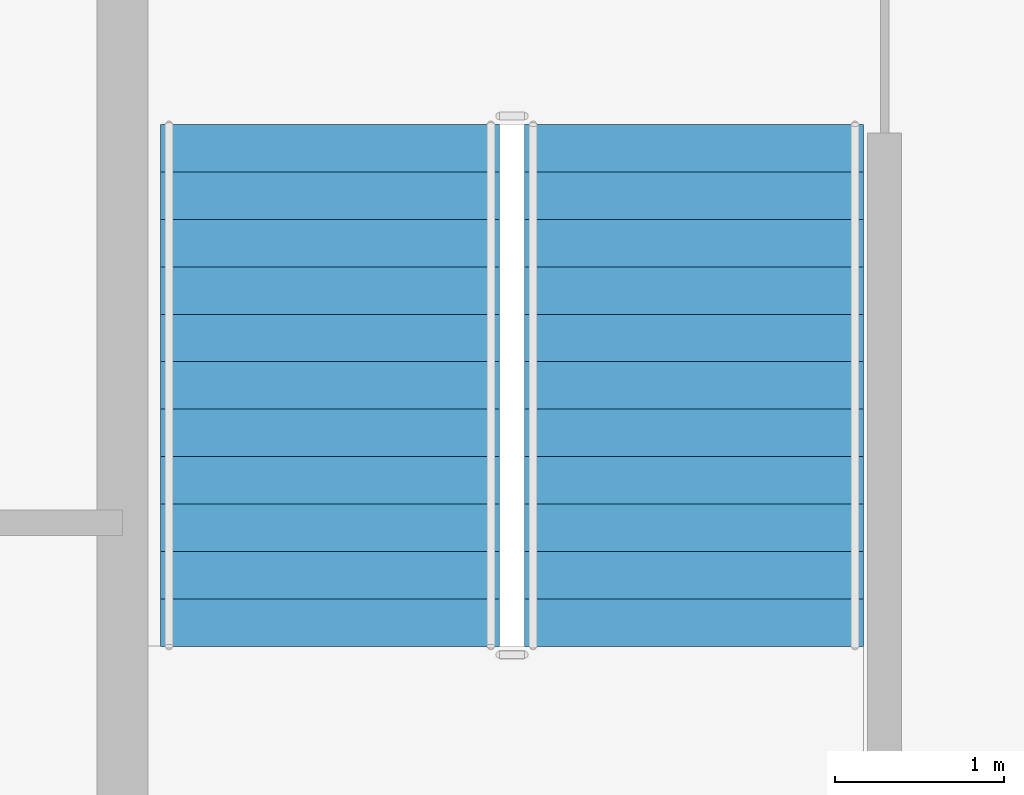
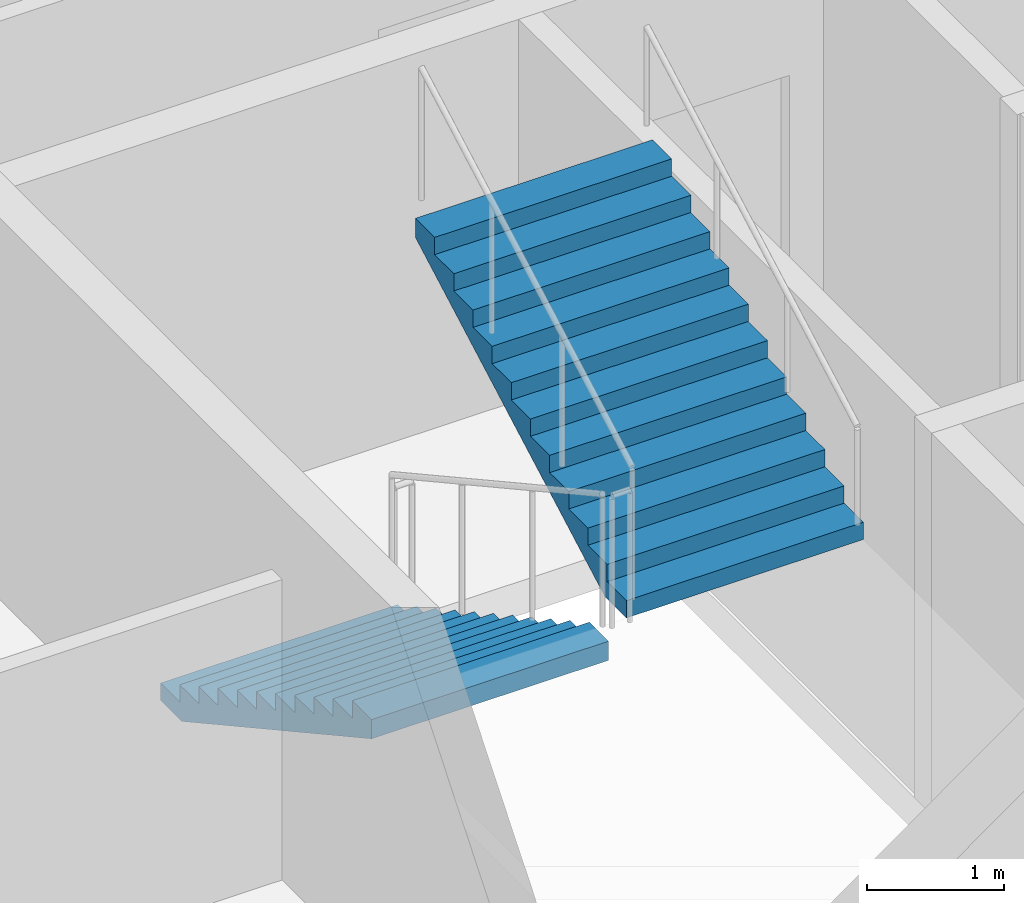
# One storey, part 9 of 12: 2 stair flights, 1 element without a shape of its own.
"""IFC4 building model written with IfcOpenShell, lengths in metres."""

from ifc_helpers import new_model, si_unit, direction, frame, origin, place, context, subcontext, project, spatial, polygons, material, type_object, element, aggregate, save


model = new_model("IFC4")

# Units and contexts
model_context = context("Model", 3, precision=1e-05, world=origin(), true_north=direction((0.0, 1.0)))
body_context = subcontext(model_context, "Body", "Model", "MODEL_VIEW")
ifc_project = project(units=[si_unit("LENGTHUNIT", "METRE"), si_unit("AREAUNIT", "SQUARE_METRE"), si_unit("VOLUMEUNIT", "CUBIC_METRE"), si_unit("PLANEANGLEUNIT", "RADIAN"), si_unit("MASSUNIT", "GRAM", prefix="KILO")], contexts=[model_context])

# Site, building, storey
site_placement = place(None, origin())
site = spatial("IfcSite", under=ifc_project, at=site_placement, CompositionType="ELEMENT")
building_placement = place(site_placement, origin())
building = spatial("IfcBuilding", under=site, at=building_placement, Name="Caravel Reach Hotel and Residences", CompositionType="ELEMENT")
storey_placement = place(building_placement, frame((0.0, 0.0, 203.5)))
storey = spatial("IfcBuildingStorey", under=building, at=storey_placement, Name="L51", CompositionType="ELEMENT", Elevation=203.5)

# Stair, stair flights
ifc_material_1 = material(Name="Concrete C40", Category="concrete")
stair_type = type_object("IfcStairType", Name="Core stair", PredefinedType="HALF_TURN_STAIR", material=ifc_material_1)
stair_placement = place(storey_placement, origin())
stair = element("IfcStair", 1, at=stair_placement, inside=storey, type_object=stair_type, Name="L51 Exit stair A", PredefinedType="HALF_TURN_STAIR")
ifc_material_2 = material(Name="Concrete C40", Category="concrete")
stair_flight_type = type_object("IfcStairFlightType", Name="Core stair flight", PredefinedType="STRAIGHT", material=ifc_material_2)
stair_flight_1_placement = place(storey_placement, frame((19.22509765625, 29.35009765625, 0.0), z_axis=(0.0, 0.0, 1.0), x_axis=(0.0, -1.0, 0.0)))
stair_flight_1 = element("IfcStairFlight", 2, at=stair_flight_1_placement, type_object=stair_flight_type, Name="ST-A flight 1", NumberOfRisers=12, NumberOfTreads=11, PredefinedType="STRAIGHT", RiserHeight=0.154166667, TreadLength=0.28, context=body_context, shape_type="Tessellation", body=[
    polygons([(0.3107950034306102, 1.0, 0.0), (0.3107950034306102, 0.6666666666666667, 0.0), (0.3107950034306102, 0.33333333333333337, 0.0), (0.3107950034306102, 0.0, 0.0), (0.3107950034306102, -0.33333333333333326, 0.0), (0.3107950034306102, -0.6666666666666667, 0.0), (0.3107950034306102, -1.0, 0.0), (3.081, 1.0, 1.524711087717319), (3.081, 0.6666666666666667, 1.524711087717319), (3.081, 0.33333333333333337, 1.524711087717319), (3.081, 0.0, 1.524711087717319), (3.081, -0.33333333333333326, 1.524711087717319), (3.081, -0.6666666666666667, 1.524711087717319), (3.081, -1.0, 1.524711087717319), (3.081, 1.0, 1.695833337), (3.081, 0.6666666666666667, 1.695833337), (3.081, 0.33333333333333337, 1.695833337), (3.081, 0.0, 1.695833337), (3.081, -0.33333333333333326, 1.695833337), (3.081, -0.6666666666666667, 1.695833337), (3.081, -1.0, 1.695833337), (2.8000000000000003, 1.0, 1.695833337), (2.8000000000000003, 0.6666666666666667, 1.695833337), (2.8000000000000003, 0.33333333333333337, 1.695833337), (2.8000000000000003, 0.0, 1.695833337), (2.8000000000000003, -0.33333333333333326, 1.695833337), (2.8000000000000003, -0.6666666666666667, 1.695833337), (2.8000000000000003, -1.0, 1.695833337), (2.8000000000000003, 1.0, 1.5416666700000001), (2.8000000000000003, 0.6666666666666667, 1.5416666700000001), (2.8000000000000003, 0.33333333333333337, 1.5416666700000001), (2.8000000000000003, 0.0, 1.5416666700000001), (2.8000000000000003, -0.33333333333333326, 1.5416666700000001), (2.8000000000000003, -0.6666666666666667, 1.5416666700000001), (2.8000000000000003, -1.0, 1.5416666700000001), (2.5200000000000005, 1.0, 1.5416666700000001), (2.5200000000000005, 0.6666666666666667, 1.5416666700000001), (2.5200000000000005, 0.33333333333333337, 1.5416666700000001), (2.5200000000000005, 0.0, 1.5416666700000001), (2.5200000000000005, -0.33333333333333326, 1.5416666700000001), (2.5200000000000005, -0.6666666666666667, 1.5416666700000001), (2.5200000000000005, -1.0, 1.5416666700000001), (2.5200000000000005, 1.0, 1.387500003), (2.5200000000000005, 0.6666666666666667, 1.387500003), (2.5200000000000005, 0.33333333333333337, 1.387500003), (2.5200000000000005, 0.0, 1.387500003), (2.5200000000000005, -0.33333333333333326, 1.387500003), (2.5200000000000005, -0.6666666666666667, 1.387500003), (2.5200000000000005, -1.0, 1.387500003), (2.24, 1.0, 1.387500003), (2.24, 0.6666666666666667, 1.387500003), (2.24, 0.33333333333333337, 1.387500003), (2.24, 0.0, 1.387500003), (2.24, -0.33333333333333326, 1.387500003), (2.24, -0.6666666666666667, 1.387500003), (2.24, -1.0, 1.387500003), (2.24, 1.0, 1.233333336), (2.24, 0.6666666666666667, 1.233333336), (2.24, 0.33333333333333337, 1.233333336), (2.24, 0.0, 1.233333336), (2.24, -0.33333333333333326, 1.233333336), (2.24, -0.6666666666666667, 1.233333336), (2.24, -1.0, 1.233333336), (1.9600000000000002, 1.0, 1.233333336), (1.9600000000000002, 0.6666666666666667, 1.233333336), (1.9600000000000002, 0.33333333333333337, 1.233333336), (1.9600000000000002, 0.0, 1.233333336), (1.9600000000000002, -0.33333333333333326, 1.233333336), (1.9600000000000002, -0.6666666666666667, 1.233333336), (1.9600000000000002, -1.0, 1.233333336), (1.9600000000000002, 1.0, 1.0791666690000001), (1.9600000000000002, 0.6666666666666667, 1.0791666690000001), (1.9600000000000002, 0.33333333333333337, 1.0791666690000001), (1.9600000000000002, 0.0, 1.0791666690000001), (1.9600000000000002, -0.33333333333333326, 1.0791666690000001), (1.9600000000000002, -0.6666666666666667, 1.0791666690000001), (1.9600000000000002, -1.0, 1.0791666690000001), (1.6800000000000002, 1.0, 1.0791666690000001), (1.6800000000000002, 0.6666666666666667, 1.0791666690000001), (1.6800000000000002, 0.33333333333333337, 1.0791666690000001), (1.6800000000000002, 0.0, 1.0791666690000001), (1.6800000000000002, -0.33333333333333326, 1.0791666690000001), (1.6800000000000002, -0.6666666666666667, 1.0791666690000001), (1.6800000000000002, -1.0, 1.0791666690000001), (1.6800000000000002, 1.0, 0.925000002), (1.6800000000000002, 0.6666666666666667, 0.925000002), (1.6800000000000002, 0.33333333333333337, 0.925000002), (1.6800000000000002, 0.0, 0.925000002), (1.6800000000000002, -0.33333333333333326, 0.925000002), (1.6800000000000002, -0.6666666666666667, 0.925000002), (1.6800000000000002, -1.0, 0.925000002), (1.4000000000000001, 1.0, 0.925000002), (1.4000000000000001, 0.6666666666666667, 0.925000002), (1.4000000000000001, 0.33333333333333337, 0.925000002), (1.4000000000000001, 0.0, 0.925000002), (1.4000000000000001, -0.33333333333333326, 0.925000002), (1.4000000000000001, -0.6666666666666667, 0.925000002), (1.4000000000000001, -1.0, 0.925000002), (1.4000000000000001, 1.0, 0.7708333350000001), (1.4000000000000001, 0.6666666666666667, 0.7708333350000001), (1.4000000000000001, 0.33333333333333337, 0.7708333350000001), (1.4000000000000001, 0.0, 0.7708333350000001), (1.4000000000000001, -0.33333333333333326, 0.7708333350000001), (1.4000000000000001, -0.6666666666666667, 0.7708333350000001), (1.4000000000000001, -1.0, 0.7708333350000001), (1.12, 1.0, 0.7708333350000001), (1.12, 0.6666666666666667, 0.7708333350000001), (1.12, 0.33333333333333337, 0.7708333350000001), (1.12, 0.0, 0.7708333350000001), (1.12, -0.33333333333333326, 0.7708333350000001), (1.12, -0.6666666666666667, 0.7708333350000001), (1.12, -1.0, 0.7708333350000001), (1.12, 1.0, 0.616666668), (1.12, 0.6666666666666667, 0.616666668), (1.12, 0.33333333333333337, 0.616666668), (1.12, 0.0, 0.616666668), (1.12, -0.33333333333333326, 0.616666668), (1.12, -0.6666666666666667, 0.616666668), (1.12, -1.0, 0.616666668), (0.8400000000000001, 1.0, 0.616666668), (0.8400000000000001, 0.6666666666666667, 0.616666668), (0.8400000000000001, 0.33333333333333337, 0.616666668), (0.8400000000000001, 0.0, 0.616666668), (0.8400000000000001, -0.33333333333333326, 0.616666668), (0.8400000000000001, -0.6666666666666667, 0.616666668), (0.8400000000000001, -1.0, 0.616666668), (0.8400000000000001, 1.0, 0.462500001), (0.8400000000000001, 0.6666666666666667, 0.462500001), (0.8400000000000001, 0.33333333333333337, 0.462500001), (0.8400000000000001, 0.0, 0.462500001), (0.8400000000000001, -0.33333333333333326, 0.462500001), (0.8400000000000001, -0.6666666666666667, 0.462500001), (0.8400000000000001, -1.0, 0.462500001), (0.56, 1.0, 0.462500001), (0.56, 0.6666666666666667, 0.462500001), (0.56, 0.33333333333333337, 0.462500001), (0.56, 0.0, 0.462500001), (0.56, -0.33333333333333326, 0.462500001), (0.56, -0.6666666666666667, 0.462500001), (0.56, -1.0, 0.462500001), (0.56, 1.0, 0.308333334), (0.56, 0.6666666666666667, 0.308333334), (0.56, 0.33333333333333337, 0.308333334), (0.56, 0.0, 0.308333334), (0.56, -0.33333333333333326, 0.308333334), (0.56, -0.6666666666666667, 0.308333334), (0.56, -1.0, 0.308333334), (0.28, 1.0, 0.308333334), (0.28, 0.6666666666666667, 0.308333334), (0.28, 0.33333333333333337, 0.308333334), (0.28, 0.0, 0.308333334), (0.28, -0.33333333333333326, 0.308333334), (0.28, -0.6666666666666667, 0.308333334), (0.28, -1.0, 0.308333334), (0.28, 1.0, 0.154166667), (0.28, 0.6666666666666667, 0.154166667), (0.28, 0.33333333333333337, 0.154166667), (0.28, 0.0, 0.154166667), (0.28, -0.33333333333333326, 0.154166667), (0.28, -0.6666666666666667, 0.154166667), (0.28, -1.0, 0.154166667), (-0.001, 1.0, 0.154166667), (-0.001, 0.6666666666666667, 0.154166667), (-0.001, 0.33333333333333337, 0.154166667), (-0.001, 0.0, 0.154166667), (-0.001, -0.33333333333333326, 0.154166667), (-0.001, -0.6666666666666667, 0.154166667), (-0.001, -1.0, 0.154166667), (-0.001, 1.0, 0.0), (-0.001, 0.6666666666666667, 0.0), (-0.001, 0.33333333333333337, 0.0), (-0.001, 0.0, 0.0), (-0.001, -0.33333333333333326, 0.0), (-0.001, -0.6666666666666667, 0.0), (-0.001, -1.0, 0.0)], [[[169, 162, 155, 148, 141, 134, 127, 120, 113, 106, 99, 92, 85, 78, 71, 64, 57, 50, 43, 36, 29, 22, 15, 8, 1]], [[7, 14, 21, 28, 35, 42, 49, 56, 63, 70, 77, 84, 91, 98, 105, 112, 119, 126, 133, 140, 147, 154, 161, 168, 175]], [[1, 8, 9, 2]], [[2, 9, 10, 3]], [[3, 10, 11, 4]], [[4, 11, 12, 5]], [[5, 12, 13, 6]], [[6, 13, 14, 7]], [[8, 15, 16, 9]], [[9, 16, 17, 10]], [[10, 17, 18, 11]], [[11, 18, 19, 12]], [[12, 19, 20, 13]], [[13, 20, 21, 14]], [[15, 22, 23, 16]], [[16, 23, 24, 17]], [[17, 24, 25, 18]], [[18, 25, 26, 19]], [[19, 26, 27, 20]], [[20, 27, 28, 21]], [[22, 29, 30, 23]], [[23, 30, 31, 24]], [[24, 31, 32, 25]], [[25, 32, 33, 26]], [[26, 33, 34, 27]], [[27, 34, 35, 28]], [[29, 36, 37, 30]], [[30, 37, 38, 31]], [[31, 38, 39, 32]], [[32, 39, 40, 33]], [[33, 40, 41, 34]], [[34, 41, 42, 35]], [[36, 43, 44, 37]], [[37, 44, 45, 38]], [[38, 45, 46, 39]], [[39, 46, 47, 40]], [[40, 47, 48, 41]], [[41, 48, 49, 42]], [[43, 50, 51, 44]], [[44, 51, 52, 45]], [[45, 52, 53, 46]], [[46, 53, 54, 47]], [[47, 54, 55, 48]], [[48, 55, 56, 49]], [[50, 57, 58, 51]], [[51, 58, 59, 52]], [[52, 59, 60, 53]], [[53, 60, 61, 54]], [[54, 61, 62, 55]], [[55, 62, 63, 56]], [[57, 64, 65, 58]], [[58, 65, 66, 59]], [[59, 66, 67, 60]], [[60, 67, 68, 61]], [[61, 68, 69, 62]], [[62, 69, 70, 63]], [[64, 71, 72, 65]], [[65, 72, 73, 66]], [[66, 73, 74, 67]], [[67, 74, 75, 68]], [[68, 75, 76, 69]], [[69, 76, 77, 70]], [[71, 78, 79, 72]], [[72, 79, 80, 73]], [[73, 80, 81, 74]], [[74, 81, 82, 75]], [[75, 82, 83, 76]], [[76, 83, 84, 77]], [[78, 85, 86, 79]], [[79, 86, 87, 80]], [[80, 87, 88, 81]], [[81, 88, 89, 82]], [[82, 89, 90, 83]], [[83, 90, 91, 84]], [[85, 92, 93, 86]], [[86, 93, 94, 87]], [[87, 94, 95, 88]], [[88, 95, 96, 89]], [[89, 96, 97, 90]], [[90, 97, 98, 91]], [[92, 99, 100, 93]], [[93, 100, 101, 94]], [[94, 101, 102, 95]], [[95, 102, 103, 96]], [[96, 103, 104, 97]], [[97, 104, 105, 98]], [[99, 106, 107, 100]], [[100, 107, 108, 101]], [[101, 108, 109, 102]], [[102, 109, 110, 103]], [[103, 110, 111, 104]], [[104, 111, 112, 105]], [[106, 113, 114, 107]], [[107, 114, 115, 108]], [[108, 115, 116, 109]], [[109, 116, 117, 110]], [[110, 117, 118, 111]], [[111, 118, 119, 112]], [[113, 120, 121, 114]], [[114, 121, 122, 115]], [[115, 122, 123, 116]], [[116, 123, 124, 117]], [[117, 124, 125, 118]], [[118, 125, 126, 119]], [[120, 127, 128, 121]], [[121, 128, 129, 122]], [[122, 129, 130, 123]], [[123, 130, 131, 124]], [[124, 131, 132, 125]], [[125, 132, 133, 126]], [[127, 134, 135, 128]], [[128, 135, 136, 129]], [[129, 136, 137, 130]], [[130, 137, 138, 131]], [[131, 138, 139, 132]], [[132, 139, 140, 133]], [[134, 141, 142, 135]], [[135, 142, 143, 136]], [[136, 143, 144, 137]], [[137, 144, 145, 138]], [[138, 145, 146, 139]], [[139, 146, 147, 140]], [[141, 148, 149, 142]], [[142, 149, 150, 143]], [[143, 150, 151, 144]], [[144, 151, 152, 145]], [[145, 152, 153, 146]], [[146, 153, 154, 147]], [[148, 155, 156, 149]], [[149, 156, 157, 150]], [[150, 157, 158, 151]], [[151, 158, 159, 152]], [[152, 159, 160, 153]], [[153, 160, 161, 154]], [[155, 162, 163, 156]], [[156, 163, 164, 157]], [[157, 164, 165, 158]], [[158, 165, 166, 159]], [[159, 166, 167, 160]], [[160, 167, 168, 161]], [[162, 169, 170, 163]], [[163, 170, 171, 164]], [[164, 171, 172, 165]], [[165, 172, 173, 166]], [[166, 173, 174, 167]], [[167, 174, 175, 168]], [[169, 1, 2, 170]], [[170, 2, 3, 171]], [[171, 3, 4, 172]], [[172, 4, 5, 173]], [[173, 5, 6, 174]], [[174, 6, 7, 175]]], closed=True),
])
stair_flight_2_placement = place(storey_placement, frame((21.375, 26.27001953125, 1.85009765625), z_axis=(0.0, 0.0, 1.0), x_axis=(0.0, 1.0, 0.0)))
stair_flight_2 = element("IfcStairFlight", 3, at=stair_flight_2_placement, type_object=stair_flight_type, Name="ST-A flight 2", NumberOfRisers=12, NumberOfTreads=11, PredefinedType="STRAIGHT", RiserHeight=0.154166667, TreadLength=0.28, context=body_context, shape_type="Tessellation", body=[
    polygons([(0.3107950034306102, 1.0, 0.0), (0.3107950034306102, 0.6666666666666667, 0.0), (0.3107950034306102, 0.33333333333333337, 0.0), (0.3107950034306102, 0.0, 0.0), (0.3107950034306102, -0.33333333333333326, 0.0), (0.3107950034306102, -0.6666666666666667, 0.0), (0.3107950034306102, -1.0, 0.0), (3.081, 1.0, 1.524711087717319), (3.081, 0.6666666666666667, 1.524711087717319), (3.081, 0.33333333333333337, 1.524711087717319), (3.081, 0.0, 1.524711087717319), (3.081, -0.33333333333333326, 1.524711087717319), (3.081, -0.6666666666666667, 1.524711087717319), (3.081, -1.0, 1.524711087717319), (3.081, 1.0, 1.695833337), (3.081, 0.6666666666666667, 1.695833337), (3.081, 0.33333333333333337, 1.695833337), (3.081, 0.0, 1.695833337), (3.081, -0.33333333333333326, 1.695833337), (3.081, -0.6666666666666667, 1.695833337), (3.081, -1.0, 1.695833337), (2.8000000000000003, 1.0, 1.695833337), (2.8000000000000003, 0.6666666666666667, 1.695833337), (2.8000000000000003, 0.33333333333333337, 1.695833337), (2.8000000000000003, 0.0, 1.695833337), (2.8000000000000003, -0.33333333333333326, 1.695833337), (2.8000000000000003, -0.6666666666666667, 1.695833337), (2.8000000000000003, -1.0, 1.695833337), (2.8000000000000003, 1.0, 1.5416666700000001), (2.8000000000000003, 0.6666666666666667, 1.5416666700000001), (2.8000000000000003, 0.33333333333333337, 1.5416666700000001), (2.8000000000000003, 0.0, 1.5416666700000001), (2.8000000000000003, -0.33333333333333326, 1.5416666700000001), (2.8000000000000003, -0.6666666666666667, 1.5416666700000001), (2.8000000000000003, -1.0, 1.5416666700000001), (2.5200000000000005, 1.0, 1.5416666700000001), (2.5200000000000005, 0.6666666666666667, 1.5416666700000001), (2.5200000000000005, 0.33333333333333337, 1.5416666700000001), (2.5200000000000005, 0.0, 1.5416666700000001), (2.5200000000000005, -0.33333333333333326, 1.5416666700000001), (2.5200000000000005, -0.6666666666666667, 1.5416666700000001), (2.5200000000000005, -1.0, 1.5416666700000001), (2.5200000000000005, 1.0, 1.387500003), (2.5200000000000005, 0.6666666666666667, 1.387500003), (2.5200000000000005, 0.33333333333333337, 1.387500003), (2.5200000000000005, 0.0, 1.387500003), (2.5200000000000005, -0.33333333333333326, 1.387500003), (2.5200000000000005, -0.6666666666666667, 1.387500003), (2.5200000000000005, -1.0, 1.387500003), (2.24, 1.0, 1.387500003), (2.24, 0.6666666666666667, 1.387500003), (2.24, 0.33333333333333337, 1.387500003), (2.24, 0.0, 1.387500003), (2.24, -0.33333333333333326, 1.387500003), (2.24, -0.6666666666666667, 1.387500003), (2.24, -1.0, 1.387500003), (2.24, 1.0, 1.233333336), (2.24, 0.6666666666666667, 1.233333336), (2.24, 0.33333333333333337, 1.233333336), (2.24, 0.0, 1.233333336), (2.24, -0.33333333333333326, 1.233333336), (2.24, -0.6666666666666667, 1.233333336), (2.24, -1.0, 1.233333336), (1.9600000000000002, 1.0, 1.233333336), (1.9600000000000002, 0.6666666666666667, 1.233333336), (1.9600000000000002, 0.33333333333333337, 1.233333336), (1.9600000000000002, 0.0, 1.233333336), (1.9600000000000002, -0.33333333333333326, 1.233333336), (1.9600000000000002, -0.6666666666666667, 1.233333336), (1.9600000000000002, -1.0, 1.233333336), (1.9600000000000002, 1.0, 1.0791666690000001), (1.9600000000000002, 0.6666666666666667, 1.0791666690000001), (1.9600000000000002, 0.33333333333333337, 1.0791666690000001), (1.9600000000000002, 0.0, 1.0791666690000001), (1.9600000000000002, -0.33333333333333326, 1.0791666690000001), (1.9600000000000002, -0.6666666666666667, 1.0791666690000001), (1.9600000000000002, -1.0, 1.0791666690000001), (1.6800000000000002, 1.0, 1.0791666690000001), (1.6800000000000002, 0.6666666666666667, 1.0791666690000001), (1.6800000000000002, 0.33333333333333337, 1.0791666690000001), (1.6800000000000002, 0.0, 1.0791666690000001), (1.6800000000000002, -0.33333333333333326, 1.0791666690000001), (1.6800000000000002, -0.6666666666666667, 1.0791666690000001), (1.6800000000000002, -1.0, 1.0791666690000001), (1.6800000000000002, 1.0, 0.925000002), (1.6800000000000002, 0.6666666666666667, 0.925000002), (1.6800000000000002, 0.33333333333333337, 0.925000002), (1.6800000000000002, 0.0, 0.925000002), (1.6800000000000002, -0.33333333333333326, 0.925000002), (1.6800000000000002, -0.6666666666666667, 0.925000002), (1.6800000000000002, -1.0, 0.925000002), (1.4000000000000001, 1.0, 0.925000002), (1.4000000000000001, 0.6666666666666667, 0.925000002), (1.4000000000000001, 0.33333333333333337, 0.925000002), (1.4000000000000001, 0.0, 0.925000002), (1.4000000000000001, -0.33333333333333326, 0.925000002), (1.4000000000000001, -0.6666666666666667, 0.925000002), (1.4000000000000001, -1.0, 0.925000002), (1.4000000000000001, 1.0, 0.7708333350000001), (1.4000000000000001, 0.6666666666666667, 0.7708333350000001), (1.4000000000000001, 0.33333333333333337, 0.7708333350000001), (1.4000000000000001, 0.0, 0.7708333350000001), (1.4000000000000001, -0.33333333333333326, 0.7708333350000001), (1.4000000000000001, -0.6666666666666667, 0.7708333350000001), (1.4000000000000001, -1.0, 0.7708333350000001), (1.12, 1.0, 0.7708333350000001), (1.12, 0.6666666666666667, 0.7708333350000001), (1.12, 0.33333333333333337, 0.7708333350000001), (1.12, 0.0, 0.7708333350000001), (1.12, -0.33333333333333326, 0.7708333350000001), (1.12, -0.6666666666666667, 0.7708333350000001), (1.12, -1.0, 0.7708333350000001), (1.12, 1.0, 0.616666668), (1.12, 0.6666666666666667, 0.616666668), (1.12, 0.33333333333333337, 0.616666668), (1.12, 0.0, 0.616666668), (1.12, -0.33333333333333326, 0.616666668), (1.12, -0.6666666666666667, 0.616666668), (1.12, -1.0, 0.616666668), (0.8400000000000001, 1.0, 0.616666668), (0.8400000000000001, 0.6666666666666667, 0.616666668), (0.8400000000000001, 0.33333333333333337, 0.616666668), (0.8400000000000001, 0.0, 0.616666668), (0.8400000000000001, -0.33333333333333326, 0.616666668), (0.8400000000000001, -0.6666666666666667, 0.616666668), (0.8400000000000001, -1.0, 0.616666668), (0.8400000000000001, 1.0, 0.462500001), (0.8400000000000001, 0.6666666666666667, 0.462500001), (0.8400000000000001, 0.33333333333333337, 0.462500001), (0.8400000000000001, 0.0, 0.462500001), (0.8400000000000001, -0.33333333333333326, 0.462500001), (0.8400000000000001, -0.6666666666666667, 0.462500001), (0.8400000000000001, -1.0, 0.462500001), (0.56, 1.0, 0.462500001), (0.56, 0.6666666666666667, 0.462500001), (0.56, 0.33333333333333337, 0.462500001), (0.56, 0.0, 0.462500001), (0.56, -0.33333333333333326, 0.462500001), (0.56, -0.6666666666666667, 0.462500001), (0.56, -1.0, 0.462500001), (0.56, 1.0, 0.308333334), (0.56, 0.6666666666666667, 0.308333334), (0.56, 0.33333333333333337, 0.308333334), (0.56, 0.0, 0.308333334), (0.56, -0.33333333333333326, 0.308333334), (0.56, -0.6666666666666667, 0.308333334), (0.56, -1.0, 0.308333334), (0.28, 1.0, 0.308333334), (0.28, 0.6666666666666667, 0.308333334), (0.28, 0.33333333333333337, 0.308333334), (0.28, 0.0, 0.308333334), (0.28, -0.33333333333333326, 0.308333334), (0.28, -0.6666666666666667, 0.308333334), (0.28, -1.0, 0.308333334), (0.28, 1.0, 0.154166667), (0.28, 0.6666666666666667, 0.154166667), (0.28, 0.33333333333333337, 0.154166667), (0.28, 0.0, 0.154166667), (0.28, -0.33333333333333326, 0.154166667), (0.28, -0.6666666666666667, 0.154166667), (0.28, -1.0, 0.154166667), (-0.001, 1.0, 0.154166667), (-0.001, 0.6666666666666667, 0.154166667), (-0.001, 0.33333333333333337, 0.154166667), (-0.001, 0.0, 0.154166667), (-0.001, -0.33333333333333326, 0.154166667), (-0.001, -0.6666666666666667, 0.154166667), (-0.001, -1.0, 0.154166667), (-0.001, 1.0, 0.0), (-0.001, 0.6666666666666667, 0.0), (-0.001, 0.33333333333333337, 0.0), (-0.001, 0.0, 0.0), (-0.001, -0.33333333333333326, 0.0), (-0.001, -0.6666666666666667, 0.0), (-0.001, -1.0, 0.0)], [[[169, 162, 155, 148, 141, 134, 127, 120, 113, 106, 99, 92, 85, 78, 71, 64, 57, 50, 43, 36, 29, 22, 15, 8, 1]], [[7, 14, 21, 28, 35, 42, 49, 56, 63, 70, 77, 84, 91, 98, 105, 112, 119, 126, 133, 140, 147, 154, 161, 168, 175]], [[1, 8, 9, 2]], [[2, 9, 10, 3]], [[3, 10, 11, 4]], [[4, 11, 12, 5]], [[5, 12, 13, 6]], [[6, 13, 14, 7]], [[8, 15, 16, 9]], [[9, 16, 17, 10]], [[10, 17, 18, 11]], [[11, 18, 19, 12]], [[12, 19, 20, 13]], [[13, 20, 21, 14]], [[15, 22, 23, 16]], [[16, 23, 24, 17]], [[17, 24, 25, 18]], [[18, 25, 26, 19]], [[19, 26, 27, 20]], [[20, 27, 28, 21]], [[22, 29, 30, 23]], [[23, 30, 31, 24]], [[24, 31, 32, 25]], [[25, 32, 33, 26]], [[26, 33, 34, 27]], [[27, 34, 35, 28]], [[29, 36, 37, 30]], [[30, 37, 38, 31]], [[31, 38, 39, 32]], [[32, 39, 40, 33]], [[33, 40, 41, 34]], [[34, 41, 42, 35]], [[36, 43, 44, 37]], [[37, 44, 45, 38]], [[38, 45, 46, 39]], [[39, 46, 47, 40]], [[40, 47, 48, 41]], [[41, 48, 49, 42]], [[43, 50, 51, 44]], [[44, 51, 52, 45]], [[45, 52, 53, 46]], [[46, 53, 54, 47]], [[47, 54, 55, 48]], [[48, 55, 56, 49]], [[50, 57, 58, 51]], [[51, 58, 59, 52]], [[52, 59, 60, 53]], [[53, 60, 61, 54]], [[54, 61, 62, 55]], [[55, 62, 63, 56]], [[57, 64, 65, 58]], [[58, 65, 66, 59]], [[59, 66, 67, 60]], [[60, 67, 68, 61]], [[61, 68, 69, 62]], [[62, 69, 70, 63]], [[64, 71, 72, 65]], [[65, 72, 73, 66]], [[66, 73, 74, 67]], [[67, 74, 75, 68]], [[68, 75, 76, 69]], [[69, 76, 77, 70]], [[71, 78, 79, 72]], [[72, 79, 80, 73]], [[73, 80, 81, 74]], [[74, 81, 82, 75]], [[75, 82, 83, 76]], [[76, 83, 84, 77]], [[78, 85, 86, 79]], [[79, 86, 87, 80]], [[80, 87, 88, 81]], [[81, 88, 89, 82]], [[82, 89, 90, 83]], [[83, 90, 91, 84]], [[85, 92, 93, 86]], [[86, 93, 94, 87]], [[87, 94, 95, 88]], [[88, 95, 96, 89]], [[89, 96, 97, 90]], [[90, 97, 98, 91]], [[92, 99, 100, 93]], [[93, 100, 101, 94]], [[94, 101, 102, 95]], [[95, 102, 103, 96]], [[96, 103, 104, 97]], [[97, 104, 105, 98]], [[99, 106, 107, 100]], [[100, 107, 108, 101]], [[101, 108, 109, 102]], [[102, 109, 110, 103]], [[103, 110, 111, 104]], [[104, 111, 112, 105]], [[106, 113, 114, 107]], [[107, 114, 115, 108]], [[108, 115, 116, 109]], [[109, 116, 117, 110]], [[110, 117, 118, 111]], [[111, 118, 119, 112]], [[113, 120, 121, 114]], [[114, 121, 122, 115]], [[115, 122, 123, 116]], [[116, 123, 124, 117]], [[117, 124, 125, 118]], [[118, 125, 126, 119]], [[120, 127, 128, 121]], [[121, 128, 129, 122]], [[122, 129, 130, 123]], [[123, 130, 131, 124]], [[124, 131, 132, 125]], [[125, 132, 133, 126]], [[127, 134, 135, 128]], [[128, 135, 136, 129]], [[129, 136, 137, 130]], [[130, 137, 138, 131]], [[131, 138, 139, 132]], [[132, 139, 140, 133]], [[134, 141, 142, 135]], [[135, 142, 143, 136]], [[136, 143, 144, 137]], [[137, 144, 145, 138]], [[138, 145, 146, 139]], [[139, 146, 147, 140]], [[141, 148, 149, 142]], [[142, 149, 150, 143]], [[143, 150, 151, 144]], [[144, 151, 152, 145]], [[145, 152, 153, 146]], [[146, 153, 154, 147]], [[148, 155, 156, 149]], [[149, 156, 157, 150]], [[150, 157, 158, 151]], [[151, 158, 159, 152]], [[152, 159, 160, 153]], [[153, 160, 161, 154]], [[155, 162, 163, 156]], [[156, 163, 164, 157]], [[157, 164, 165, 158]], [[158, 165, 166, 159]], [[159, 166, 167, 160]], [[160, 167, 168, 161]], [[162, 169, 170, 163]], [[163, 170, 171, 164]], [[164, 171, 172, 165]], [[165, 172, 173, 166]], [[166, 173, 174, 167]], [[167, 174, 175, 168]], [[169, 1, 2, 170]], [[170, 2, 3, 171]], [[171, 3, 4, 172]], [[172, 4, 5, 173]], [[173, 5, 6, 174]], [[174, 6, 7, 175]]], closed=True),
])
aggregate(stair, [stair_flight_1, stair_flight_2])

save(model, "model.ifc")
